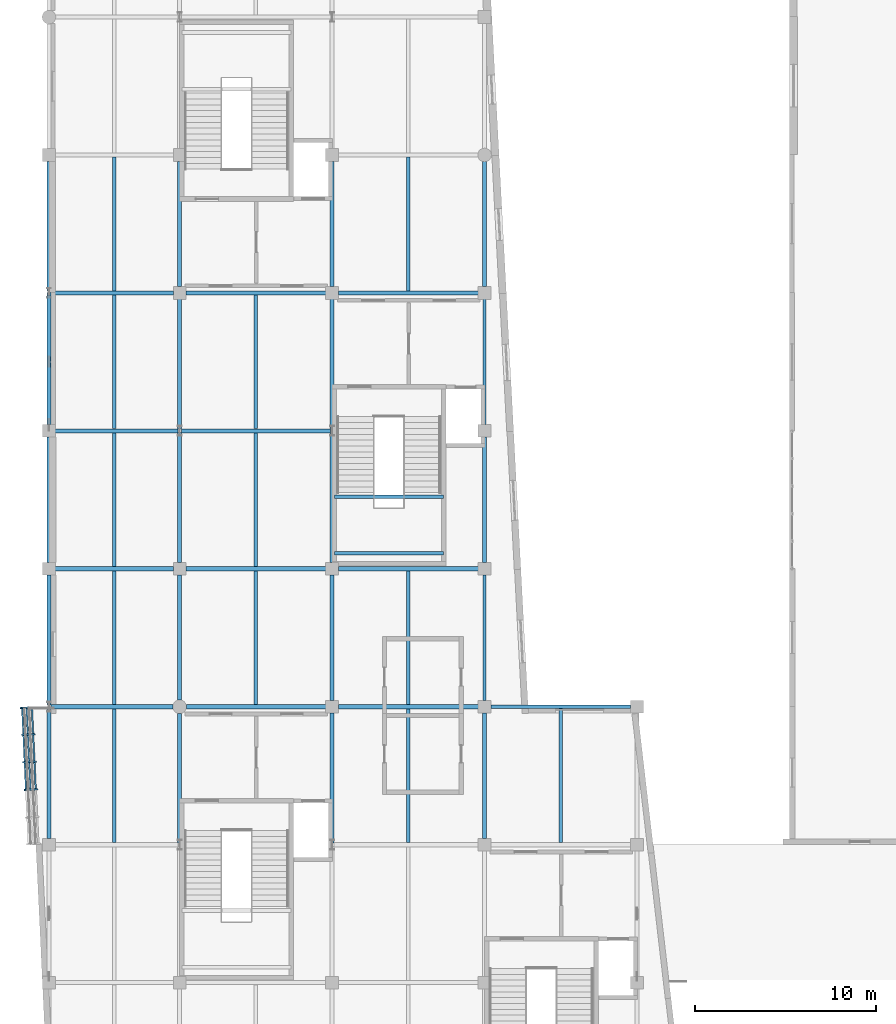
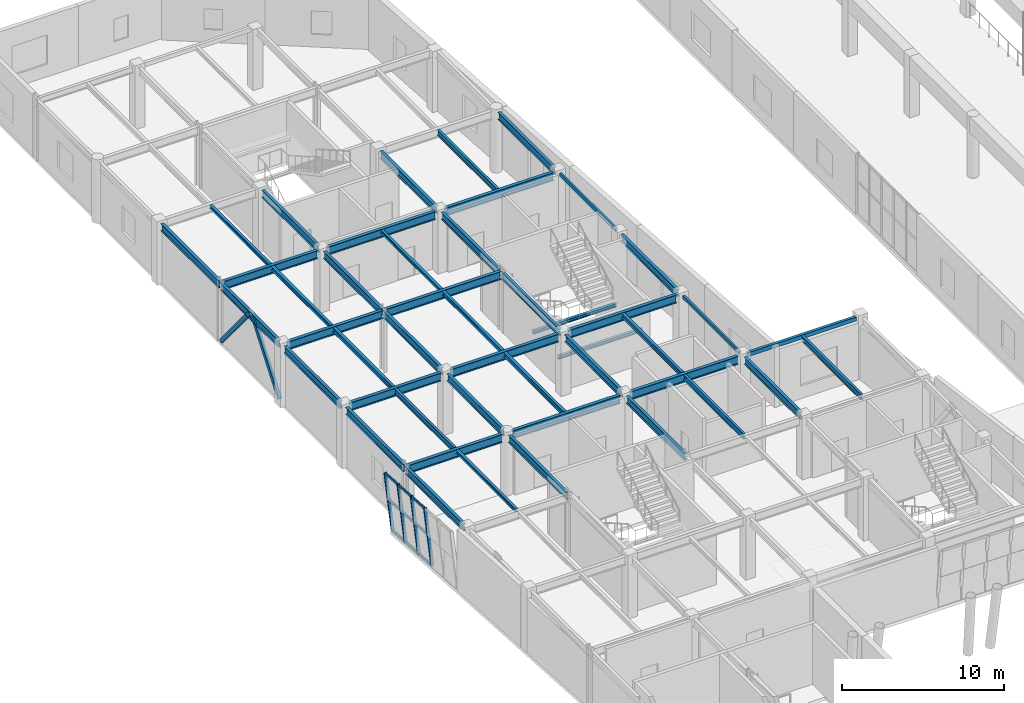
# One storey, part 12 of 72: 46 beams, 15 members, 1 element without a shape of its own.
"""IFC4 building model written with IfcOpenShell, lengths in metres."""

from ifc_helpers import new_model, si_unit, direction, frame, origin, origin_2d, place, context, subcontext, project, spatial, hollow_rectangle, i_section, extrude, material, layer, layer_set, material_profile, profile_set, type_object, element, aggregate, save


model = new_model("IFC4")

# Units and contexts
model_context = context("Model", 3, precision=1e-05, world=origin(), true_north=direction((0.0, 1.0)))
body_context = subcontext(model_context, "Body", "Model", "MODEL_VIEW")
ifc_project = project(units=[si_unit("LENGTHUNIT", "METRE"), si_unit("AREAUNIT", "SQUARE_METRE"), si_unit("VOLUMEUNIT", "CUBIC_METRE"), si_unit("PLANEANGLEUNIT", "RADIAN"), si_unit("MASSUNIT", "GRAM", prefix="KILO")], contexts=[model_context])

# Site, building, storey
site_placement = place(None, origin())
site = spatial("IfcSite", under=ifc_project, at=site_placement, CompositionType="ELEMENT")
building_placement = place(site_placement, origin())
building = spatial("IfcBuilding", under=site, at=building_placement, Name="Xicomal Pleat Aquarium", CompositionType="ELEMENT")
storey_placement = place(building_placement, frame((0.0, 0.0, 10.5)))
storey = spatial("IfcBuildingStorey", under=building, at=storey_placement, Name="L03", CompositionType="ELEMENT", Elevation=10.5)

# Beams
ifc_material_1 = material(Name="Structural steel A992 Gr 50", Category="steel")
ifc_material_profile_1 = material_profile(ifc_material_1, i_section(OverallWidth=0.201904296875, OverallDepth=0.2470703125, WebThickness=0.00732421875, FlangeThickness=0.010986328125, at=origin_2d()), Name="IR 250x49")
ifc_profile_set_1 = profile_set([ifc_material_profile_1], Name="Structural steel A992 Gr 50")
beam_type_1 = type_object("IfcBeamType", Name="BM-STL-IR250", PredefinedType="JOIST", material=ifc_profile_set_1)
for number, where, z_axis, x_axis, name in (
    (1, (6.60009765625, 30.51806640625, 4.451416015625), (0.0, 1.0, 0.0), (-1.0, 0.0, 0.0), "L03 framing beam FBJ-L03-01-E-1"),
    (2, (6.60009765625, 60.91796875, 4.466552734375), (0.0, 1.0, 0.0), (-1.0, 0.0, 0.0), "L03 framing beam FBJ-L03-01-J-1"),
):
    element("IfcBeam", number, at=place(storey_placement, frame(where, z_axis=z_axis, x_axis=x_axis)), inside=storey, type_object=beam_type_1, Name=name, PredefinedType="JOIST", context=body_context, shape_type="SweptSolid", body=[
        extrude(i_section(OverallWidth=0.201904296875, OverallDepth=0.2470703125, WebThickness=0.00732421875, FlangeThickness=0.010986328125, at=origin_2d()), origin(), (0.0, 0.0, 1.0), 7.364013671875),
    ])
beam_1_placement = place(storey_placement, frame((14.39990234375, 53.318115234375, 4.466552734375), z_axis=(0.0, 1.0, 0.0), x_axis=(-1.0, 0.0, 0.0)))
element("IfcBeam", 3, at=beam_1_placement, inside=storey, type_object=beam_type_1, Name="L03 framing beam FBJ-L03-02-H-1", PredefinedType="JOIST", context=body_context, shape_type="SweptSolid", body=[
    extrude(i_section(OverallWidth=0.201904296875, OverallDepth=0.2470703125, WebThickness=0.00732421875, FlangeThickness=0.010986328125, at=origin_2d()), origin(), (0.0, 0.0, 1.0), 7.36376953125),
])
for number, where, z_axis, x_axis, name in (
    (4, (18.719970703125, 46.449951171875, 2.0791015625), (1.0, 0.0, 0.0), (0.0, 1.0, 0.0), "ST-04-L03 half-landing bearer beam 1"),
    (5, (18.719970703125, 49.573974609375, 2.0791015625), (1.0, 0.0, 0.0), (0.0, 1.0, 0.0), "ST-04-L03 half-landing bearer beam 2"),
):
    element("IfcBeam", number, at=place(storey_placement, frame(where, z_axis=z_axis, x_axis=x_axis)), inside=storey, type_object=beam_type_1, Name=name, PredefinedType="JOIST", context=body_context, shape_type="SweptSolid", body=[
        extrude(i_section(OverallWidth=0.201904296875, OverallDepth=0.2470703125, WebThickness=0.00732421875, FlangeThickness=0.010986328125, at=origin_2d()), origin(), (0.0, 0.0, 1.0), 6.02001953125),
    ])
ifc_material_2 = material(Name="Structural steel A992 Gr 50", Category="steel")
ifc_material_profile_2 = material_profile(ifc_material_2, i_section(OverallWidth=0.202880859375, OverallDepth=0.302978515625, WebThickness=0.007568359375, FlangeThickness=0.01318359375, at=origin_2d()), Name="IR 310x60")
ifc_profile_set_2 = profile_set([ifc_material_profile_2], Name="Structural steel A992 Gr 50")
beam_type_2 = type_object("IfcBeamType", Name="BM-STL-IR310", PredefinedType="JOIST", material=ifc_profile_set_2)
beam_2_placement = place(storey_placement, frame((6.60009765625, 53.318115234375, 4.4384765625), z_axis=(0.0, 1.0, 0.0), x_axis=(-1.0, 0.0, 0.0)))
element("IfcBeam", 6, at=beam_2_placement, inside=storey, type_object=beam_type_2, Name="L03 framing beam FBJ-L03-01-H-1", PredefinedType="JOIST", context=body_context, shape_type="SweptSolid", body=[
    extrude(i_section(OverallWidth=0.202880859375, OverallDepth=0.302978515625, WebThickness=0.007568359375, FlangeThickness=0.01318359375, at=origin_2d()), origin(), (0.0, 0.0, 1.0), 7.36376953125),
])
beam_3_placement = place(storey_placement, frame((14.39990234375, 45.718017578125, 4.4384765625), z_axis=(0.0, 1.0, 0.0), x_axis=(-1.0, 0.0, 0.0)))
element("IfcBeam", 7, at=beam_3_placement, inside=storey, type_object=beam_type_2, Name="L03 framing beam FBJ-L03-02-G-1", PredefinedType="JOIST", context=body_context, shape_type="SweptSolid", body=[
    extrude(i_section(OverallWidth=0.202880859375, OverallDepth=0.302978515625, WebThickness=0.007568359375, FlangeThickness=0.01318359375, at=origin_2d()), origin(), (0.0, 0.0, 1.0), 7.364013671875),
])
ifc_material_3 = material(Name="Structural steel A992 Gr 50", Category="steel")
ifc_material_profile_3 = material_profile(ifc_material_3, i_section(OverallWidth=0.205078125, OverallDepth=0.35400390625, WebThickness=0.009521484375, FlangeThickness=0.016845703125, at=origin_2d()), Name="IR 360x79")
ifc_profile_set_3 = profile_set([ifc_material_profile_3], Name="Structural steel A992 Gr 50")
beam_type_3 = type_object("IfcBeamType", Name="BM-STL-IR360", PredefinedType="JOIST", material=ifc_profile_set_3)
for number, where, z_axis, x_axis, name in (
    (8, (6.60009765625, 45.718017578125, 4.4130859375), (0.0, 1.0, 0.0), (-1.0, 0.0, 0.0), "L03 framing beam FBJ-L03-01-G-1"),
    (9, (14.39990234375, 38.117919921875, 4.4130859375), (0.0, 1.0, 0.0), (-1.0, 0.0, 0.0), "L03 framing beam FBJ-L03-02-F-1"),
    (10, (22.800048828125, 38.117919921875, 4.4130859375), (0.0, 1.0, 0.0), (-1.0, 0.0, 0.0), "L03 framing beam FBJ-L03-03-F-1"),
):
    element("IfcBeam", number, at=place(storey_placement, frame(where, z_axis=z_axis, x_axis=x_axis)), inside=storey, type_object=beam_type_3, Name=name, PredefinedType="JOIST", context=body_context, shape_type="SweptSolid", body=[
        extrude(i_section(OverallWidth=0.205078125, OverallDepth=0.35400390625, WebThickness=0.009521484375, FlangeThickness=0.016845703125, at=origin_2d()), origin(), (0.0, 0.0, 1.0), 7.364013671875),
    ])
ifc_material_4 = material(Name="Structural steel A992 Gr 50", Category="steel")
ifc_material_profile_4 = material_profile(ifc_material_4, i_section(OverallWidth=0.180908203125, OverallDepth=0.4169921875, WebThickness=0.010986328125, FlangeThickness=0.018310546875, at=origin_2d()), Name="IR 410x85")
ifc_profile_set_4 = profile_set([ifc_material_profile_4], Name="Structural steel A992 Gr 50")
beam_type_4 = type_object("IfcBeamType", Name="BM-STL-IR410", PredefinedType="JOIST", material=ifc_profile_set_4)
for number, where, z_axis, x_axis, name in (
    (11, (6.60009765625, 38.117919921875, 4.381591796875), (0.0, 1.0, 0.0), (-1.0, 0.0, 0.0), "L03 framing beam FBJ-L03-01-F-1"),
    (12, (22.800048828125, 30.51806640625, 4.366455078125), (0.0, 1.0, 0.0), (-1.0, 0.0, 0.0), "L03 framing beam FBJ-L03-03-E-1"),
    (13, (22.800048828125, 60.91796875, 4.381591796875), (0.0, 1.0, 0.0), (-1.0, 0.0, 0.0), "L03 framing beam FBJ-L03-03-J-1"),
):
    element("IfcBeam", number, at=place(storey_placement, frame(where, z_axis=z_axis, x_axis=x_axis)), inside=storey, type_object=beam_type_4, Name=name, PredefinedType="JOIST", context=body_context, shape_type="SweptSolid", body=[
        extrude(i_section(OverallWidth=0.180908203125, OverallDepth=0.4169921875, WebThickness=0.010986328125, FlangeThickness=0.018310546875, at=origin_2d()), origin(), (0.0, 0.0, 1.0), 7.364013671875),
    ])
beam_4_placement = place(storey_placement, frame((31.199951171875, 30.51806640625, 4.366455078125), z_axis=(0.0, 1.0, 0.0), x_axis=(-1.0, 0.0, 0.0)))
element("IfcBeam", 14, at=beam_4_placement, inside=storey, type_object=beam_type_4, Name="L03 framing beam FBJ-L03-04-E-1", PredefinedType="JOIST", context=body_context, shape_type="SweptSolid", body=[
    extrude(i_section(OverallWidth=0.180908203125, OverallDepth=0.4169921875, WebThickness=0.010986328125, FlangeThickness=0.018310546875, at=origin_2d()), origin(), (0.0, 0.0, 1.0), 7.37890625),
])
ifc_material_5 = material(Name="Structural steel A992 Gr 50", Category="steel")
ifc_material_profile_5 = material_profile(ifc_material_5, i_section(OverallWidth=0.2119140625, OverallDepth=0.5439453125, WebThickness=0.01318359375, FlangeThickness=0.021240234375, at=origin_2d()), Name="IR 530x123")
ifc_profile_set_5 = profile_set([ifc_material_profile_5], Name="Structural steel A992 Gr 50")
beam_type_5 = type_object("IfcBeamType", Name="BM-STL-IR530", PredefinedType="BEAM", material=ifc_profile_set_5)
for number, where, z_axis, x_axis, name in (
    (15, (3.0, 30.7451171875, 4.302978515625), (0.0, 1.0, 0.0), (-1.0, 0.0, 0.0), "L03 framing beam FGY-L03-01-E-F"),
    (16, (3.0, 38.10107421875, 4.318115234375), (0.0, 1.0, 0.0), (-1.0, 0.0, 0.0), "L03 framing beam FGY-L03-01-F-G"),
):
    element("IfcBeam", number, at=place(storey_placement, frame(where, z_axis=z_axis, x_axis=x_axis)), inside=storey, type_object=beam_type_5, Name=name, PredefinedType="BEAM", context=body_context, shape_type="SweptSolid", body=[
        extrude(i_section(OverallWidth=0.2119140625, OverallDepth=0.5439453125, WebThickness=0.01318359375, FlangeThickness=0.021240234375, at=origin_2d()), origin(), (0.0, 0.0, 1.0), 7.15380859375),
    ])
beam_5_placement = place(storey_placement, frame((3.0, 45.945068359375, 4.318115234375), z_axis=(0.0, 1.0, 0.0), x_axis=(-1.0, 0.0, 0.0)))
element("IfcBeam", 17, at=beam_5_placement, inside=storey, type_object=beam_type_5, Name="L03 framing beam FGY-L03-01-G-H", PredefinedType="BEAM", context=body_context, shape_type="SweptSolid", body=[
    extrude(i_section(OverallWidth=0.2119140625, OverallDepth=0.5439453125, WebThickness=0.01318359375, FlangeThickness=0.021240234375, at=origin_2d()), origin(), (0.0, 0.0, 1.0), 6.909912109375),
])
for number, where, z_axis, x_axis, name in (
    (18, (3.0, 53.544921875, 4.318115234375), (0.0, 1.0, 0.0), (-1.0, 0.0, 0.0), "L03 framing beam FGY-L03-01-H-J"),
    (19, (3.0, 60.90087890625, 4.318115234375), (0.0, 1.0, 0.0), (-1.0, 0.0, 0.0), "L03 framing beam FGY-L03-01-J-K"),
):
    element("IfcBeam", number, at=place(storey_placement, frame(where, z_axis=z_axis, x_axis=x_axis)), inside=storey, type_object=beam_type_5, Name=name, PredefinedType="BEAM", context=body_context, shape_type="SweptSolid", body=[
        extrude(i_section(OverallWidth=0.2119140625, OverallDepth=0.5439453125, WebThickness=0.01318359375, FlangeThickness=0.021240234375, at=origin_2d()), origin(), (0.0, 0.0, 1.0), 7.154052734375),
    ])
beam_6_placement = place(storey_placement, frame((10.199951171875, 30.5009765625, 4.302978515625), z_axis=(0.0, 1.0, 0.0), x_axis=(-1.0, 0.0, 0.0)))
element("IfcBeam", 20, at=beam_6_placement, inside=storey, type_object=beam_type_5, Name="L03 framing beam FGY-L03-02-E-F", PredefinedType="BEAM", context=body_context, shape_type="SweptSolid", body=[
    extrude(i_section(OverallWidth=0.2119140625, OverallDepth=0.5439453125, WebThickness=0.01318359375, FlangeThickness=0.021240234375, at=origin_2d()), origin(), (0.0, 0.0, 1.0), 7.12890625),
])
beam_7_placement = place(storey_placement, frame((10.199951171875, 38.3701171875, 4.318115234375), z_axis=(0.0, 1.0, 0.0), x_axis=(-1.0, 0.0, 0.0)))
element("IfcBeam", 21, at=beam_7_placement, inside=storey, type_object=beam_type_5, Name="L03 framing beam FGY-L03-02-F-G", PredefinedType="BEAM", context=body_context, shape_type="SweptSolid", body=[
    extrude(i_section(OverallWidth=0.2119140625, OverallDepth=0.5439453125, WebThickness=0.01318359375, FlangeThickness=0.021240234375, at=origin_2d()), origin(), (0.0, 0.0, 1.0), 6.884765625),
])
for number, where, z_axis, x_axis, name in (
    (22, (10.199951171875, 45.945068359375, 4.318115234375), (0.0, 1.0, 0.0), (-1.0, 0.0, 0.0), "L03 framing beam FGY-L03-02-G-H"),
    (23, (10.199951171875, 53.301025390625, 4.318115234375), (0.0, 1.0, 0.0), (-1.0, 0.0, 0.0), "L03 framing beam FGY-L03-02-H-J"),
):
    element("IfcBeam", number, at=place(storey_placement, frame(where, z_axis=z_axis, x_axis=x_axis)), inside=storey, type_object=beam_type_5, Name=name, PredefinedType="BEAM", context=body_context, shape_type="SweptSolid", body=[
        extrude(i_section(OverallWidth=0.2119140625, OverallDepth=0.5439453125, WebThickness=0.01318359375, FlangeThickness=0.021240234375, at=origin_2d()), origin(), (0.0, 0.0, 1.0), 7.154052734375),
    ])
beam_8_placement = place(storey_placement, frame((10.199951171875, 61.14501953125, 4.318115234375), z_axis=(0.0, 1.0, 0.0), x_axis=(-1.0, 0.0, 0.0)))
element("IfcBeam", 24, at=beam_8_placement, inside=storey, type_object=beam_type_5, Name="L03 framing beam FGY-L03-02-J-K", PredefinedType="BEAM", context=body_context, shape_type="SweptSolid", body=[
    extrude(i_section(OverallWidth=0.2119140625, OverallDepth=0.5439453125, WebThickness=0.01318359375, FlangeThickness=0.021240234375, at=origin_2d()), origin(), (0.0, 0.0, 1.0), 6.909912109375),
])
beam_9_placement = place(storey_placement, frame((18.60009765625, 30.5009765625, 4.302978515625), z_axis=(0.0, 1.0, 0.0), x_axis=(-1.0, 0.0, 0.0)))
element("IfcBeam", 25, at=beam_9_placement, inside=storey, type_object=beam_type_5, Name="L03 framing beam FGY-L03-03-E-F", PredefinedType="BEAM", context=body_context, shape_type="SweptSolid", body=[
    extrude(i_section(OverallWidth=0.2119140625, OverallDepth=0.5439453125, WebThickness=0.01318359375, FlangeThickness=0.021240234375, at=origin_2d()), origin(), (0.0, 0.0, 1.0), 7.154052734375),
])
beam_10_placement = place(storey_placement, frame((18.60009765625, 38.344970703125, 4.318115234375), z_axis=(0.0, 1.0, 0.0), x_axis=(-1.0, 0.0, 0.0)))
element("IfcBeam", 26, at=beam_10_placement, inside=storey, type_object=beam_type_5, Name="L03 framing beam FGY-L03-03-F-G", PredefinedType="BEAM", context=body_context, shape_type="SweptSolid", body=[
    extrude(i_section(OverallWidth=0.2119140625, OverallDepth=0.5439453125, WebThickness=0.01318359375, FlangeThickness=0.021240234375, at=origin_2d()), origin(), (0.0, 0.0, 1.0), 6.909912109375),
])
for number, where, z_axis, x_axis, name in (
    (27, (18.60009765625, 45.945068359375, 4.318115234375), (0.0, 1.0, 0.0), (-1.0, 0.0, 0.0), "L03 framing beam FGY-L03-03-G-H"),
    (28, (18.60009765625, 53.301025390625, 4.318115234375), (0.0, 1.0, 0.0), (-1.0, 0.0, 0.0), "L03 framing beam FGY-L03-03-H-J"),
):
    element("IfcBeam", number, at=place(storey_placement, frame(where, z_axis=z_axis, x_axis=x_axis)), inside=storey, type_object=beam_type_5, Name=name, PredefinedType="BEAM", context=body_context, shape_type="SweptSolid", body=[
        extrude(i_section(OverallWidth=0.2119140625, OverallDepth=0.5439453125, WebThickness=0.01318359375, FlangeThickness=0.021240234375, at=origin_2d()), origin(), (0.0, 0.0, 1.0), 7.154052734375),
    ])
for number, where, z_axis, x_axis, name in (
    (29, (18.60009765625, 61.14501953125, 4.318115234375), (0.0, 1.0, 0.0), (-1.0, 0.0, 0.0), "L03 framing beam FGY-L03-03-J-K"),
    (30, (27.0, 30.7451171875, 4.302978515625), (0.0, 1.0, 0.0), (-1.0, 0.0, 0.0), "L03 framing beam FGY-L03-04-E-F"),
    (31, (27.0, 45.945068359375, 4.318115234375), (0.0, 1.0, 0.0), (-1.0, 0.0, 0.0), "L03 framing beam FGY-L03-04-G-H"),
):
    element("IfcBeam", number, at=place(storey_placement, frame(where, z_axis=z_axis, x_axis=x_axis)), inside=storey, type_object=beam_type_5, Name=name, PredefinedType="BEAM", context=body_context, shape_type="SweptSolid", body=[
        extrude(i_section(OverallWidth=0.2119140625, OverallDepth=0.5439453125, WebThickness=0.01318359375, FlangeThickness=0.021240234375, at=origin_2d()), origin(), (0.0, 0.0, 1.0), 6.909912109375),
    ])
beam_11_placement = place(storey_placement, frame((27.0, 61.14501953125, 4.318115234375), z_axis=(0.0, 1.0, 0.0), x_axis=(-1.0, 0.0, 0.0)))
element("IfcBeam", 32, at=beam_11_placement, inside=storey, type_object=beam_type_5, Name="L03 framing beam FGY-L03-04-J-K", PredefinedType="BEAM", context=body_context, shape_type="SweptSolid", body=[
    extrude(i_section(OverallWidth=0.2119140625, OverallDepth=0.5439453125, WebThickness=0.01318359375, FlangeThickness=0.021240234375, at=origin_2d()), origin(), (0.0, 0.0, 1.0), 6.885009765625),
])
ifc_material_6 = material(Name="Structural steel A992 Gr 50", Category="steel")
ifc_material_profile_6 = material_profile(ifc_material_6, i_section(OverallWidth=0.22998046875, OverallDepth=0.616943359375, WebThickness=0.01318359375, FlangeThickness=0.022216796875, at=origin_2d()), Name="IR 610x140")
ifc_profile_set_6 = profile_set([ifc_material_profile_6], Name="Structural steel A992 Gr 50")
beam_type_6 = type_object("IfcBeamType", Name="BM-STL-IR610", PredefinedType="BEAM", material=ifc_profile_set_6)
beam_12_placement = place(storey_placement, frame((3.10107421875, 38.0, 4.2666015625), z_axis=(1.0, 0.0, 0.0), x_axis=(0.0, 1.0, 0.0)))
element("IfcBeam", 33, at=beam_12_placement, inside=storey, type_object=beam_type_6, Name="L03 framing beam FGX-L03-01-02-F", PredefinedType="BEAM", context=body_context, shape_type="SweptSolid", body=[
    extrude(i_section(OverallWidth=0.22998046875, OverallDepth=0.616943359375, WebThickness=0.01318359375, FlangeThickness=0.022216796875, at=origin_2d()), origin(), (0.0, 0.0, 1.0), 6.72900390625),
])
beam_13_placement = place(storey_placement, frame((10.570068359375, 38.0, 4.2666015625), z_axis=(1.0, 0.0, 0.0), x_axis=(0.0, 1.0, 0.0)))
element("IfcBeam", 34, at=beam_13_placement, inside=storey, type_object=beam_type_6, Name="L03 framing beam FGX-L03-02-03-F", PredefinedType="BEAM", context=body_context, shape_type="SweptSolid", body=[
    extrude(i_section(OverallWidth=0.22998046875, OverallDepth=0.616943359375, WebThickness=0.01318359375, FlangeThickness=0.022216796875, at=origin_2d()), origin(), (0.0, 0.0, 1.0), 7.684814453125),
])
beam_14_placement = place(storey_placement, frame((18.945068359375, 38.0, 4.2666015625), z_axis=(1.0, 0.0, 0.0), x_axis=(0.0, 1.0, 0.0)))
element("IfcBeam", 35, at=beam_14_placement, inside=storey, type_object=beam_type_6, Name="L03 framing beam FGX-L03-03-04-F", PredefinedType="BEAM", context=body_context, shape_type="SweptSolid", body=[
    extrude(i_section(OverallWidth=0.22998046875, OverallDepth=0.616943359375, WebThickness=0.01318359375, FlangeThickness=0.022216796875, at=origin_2d()), origin(), (0.0, 0.0, 1.0), 7.7099609375),
])
beam_15_placement = place(storey_placement, frame((3.344970703125, 45.60009765625, 4.281494140625), z_axis=(1.0, 0.0, 0.0), x_axis=(0.0, 1.0, 0.0)))
element("IfcBeam", 36, at=beam_15_placement, inside=storey, type_object=beam_type_6, Name="L03 framing beam FGX-L03-01-02-G", PredefinedType="BEAM", context=body_context, shape_type="SweptSolid", body=[
    extrude(i_section(OverallWidth=0.22998046875, OverallDepth=0.616943359375, WebThickness=0.01318359375, FlangeThickness=0.022216796875, at=origin_2d()), origin(), (0.0, 0.0, 1.0), 6.510009765625),
])
for number, where, z_axis, x_axis, name in (
    (37, (10.544921875, 45.60009765625, 4.281494140625), (1.0, 0.0, 0.0), (0.0, 1.0, 0.0), "L03 framing beam FGX-L03-02-03-G"),
    (38, (18.945068359375, 45.60009765625, 4.281494140625), (1.0, 0.0, 0.0), (0.0, 1.0, 0.0), "L03 framing beam FGX-L03-03-04-G"),
):
    element("IfcBeam", number, at=place(storey_placement, frame(where, z_axis=z_axis, x_axis=x_axis)), inside=storey, type_object=beam_type_6, Name=name, PredefinedType="BEAM", context=body_context, shape_type="SweptSolid", body=[
        extrude(i_section(OverallWidth=0.22998046875, OverallDepth=0.616943359375, WebThickness=0.01318359375, FlangeThickness=0.022216796875, at=origin_2d()), origin(), (0.0, 0.0, 1.0), 7.7099609375),
    ])
beam_16_placement = place(storey_placement, frame((3.344970703125, 53.199951171875, 4.281494140625), z_axis=(1.0, 0.0, 0.0), x_axis=(0.0, 1.0, 0.0)))
element("IfcBeam", 39, at=beam_16_placement, inside=storey, type_object=beam_type_6, Name="L03 framing beam FGX-L03-01-02-H", PredefinedType="BEAM", context=body_context, shape_type="SweptSolid", body=[
    extrude(i_section(OverallWidth=0.22998046875, OverallDepth=0.616943359375, WebThickness=0.01318359375, FlangeThickness=0.022216796875, at=origin_2d()), origin(), (0.0, 0.0, 1.0), 6.754150390625),
])
beam_17_placement = place(storey_placement, frame((10.301025390625, 53.199951171875, 4.281494140625), z_axis=(1.0, 0.0, 0.0), x_axis=(0.0, 1.0, 0.0)))
element("IfcBeam", 40, at=beam_17_placement, inside=storey, type_object=beam_type_6, Name="L03 framing beam FGX-L03-02-03-H", PredefinedType="BEAM", context=body_context, shape_type="SweptSolid", body=[
    extrude(i_section(OverallWidth=0.22998046875, OverallDepth=0.616943359375, WebThickness=0.01318359375, FlangeThickness=0.022216796875, at=origin_2d()), origin(), (0.0, 0.0, 1.0), 8.197998046875),
])
beam_18_placement = place(storey_placement, frame((3.10107421875, 60.800048828125, 4.281494140625), z_axis=(1.0, 0.0, 0.0), x_axis=(0.0, 1.0, 0.0)))
element("IfcBeam", 41, at=beam_18_placement, inside=storey, type_object=beam_type_6, Name="L03 framing beam FGX-L03-01-02-J", PredefinedType="BEAM", context=body_context, shape_type="SweptSolid", body=[
    extrude(i_section(OverallWidth=0.22998046875, OverallDepth=0.616943359375, WebThickness=0.01318359375, FlangeThickness=0.022216796875, at=origin_2d()), origin(), (0.0, 0.0, 1.0), 6.75390625),
])
for number, where, z_axis, x_axis, name in (
    (42, (10.544921875, 60.800048828125, 4.281494140625), (1.0, 0.0, 0.0), (0.0, 1.0, 0.0), "L03 framing beam FGX-L03-02-03-J"),
    (43, (18.945068359375, 60.800048828125, 4.281494140625), (1.0, 0.0, 0.0), (0.0, 1.0, 0.0), "L03 framing beam FGX-L03-03-04-J"),
):
    element("IfcBeam", number, at=place(storey_placement, frame(where, z_axis=z_axis, x_axis=x_axis)), inside=storey, type_object=beam_type_6, Name=name, PredefinedType="BEAM", context=body_context, shape_type="SweptSolid", body=[
        extrude(i_section(OverallWidth=0.22998046875, OverallDepth=0.616943359375, WebThickness=0.01318359375, FlangeThickness=0.022216796875, at=origin_2d()), origin(), (0.0, 0.0, 1.0), 7.7099609375),
    ])
ifc_material_7 = material(Name="Structural steel A500 Gr C", Category="steel")
ifc_material_profile_7 = material_profile(ifc_material_7, hollow_rectangle(XDim=0.14990234375, YDim=0.25, WallThickness=0.010009765625, at=origin_2d()), Name="OR 250x150x10")
ifc_profile_set_7 = profile_set([ifc_material_profile_7], Name="Structural steel A500 Gr C")
beam_type_7 = type_object("IfcBeamType", Name="BM-STL-OR250", PredefinedType="SPANDREL", material=ifc_profile_set_7)
beam_19_placement = place(storey_placement, frame((27.0, 38.344970703125, 4.465087890625), z_axis=(0.0, 1.0, 0.0), x_axis=(-1.0, 0.0, 0.0)))
element("IfcBeam", 44, at=beam_19_placement, inside=storey, type_object=beam_type_7, Name="L03 framing beam FGY-L03-04-F-G", PredefinedType="SPANDREL", context=body_context, shape_type="SweptSolid", body=[
    extrude(hollow_rectangle(XDim=0.14990234375, YDim=0.25, WallThickness=0.010009765625, at=origin_2d()), origin(), (0.0, 0.0, 1.0), 6.909912109375),
])
beam_20_placement = place(storey_placement, frame((27.0, 53.544921875, 4.465087890625), z_axis=(0.0, 1.0, 0.0), x_axis=(-1.0, 0.0, 0.0)))
element("IfcBeam", 45, at=beam_20_placement, inside=storey, type_object=beam_type_7, Name="L03 framing beam FGY-L03-04-H-J", PredefinedType="SPANDREL", context=body_context, shape_type="SweptSolid", body=[
    extrude(hollow_rectangle(XDim=0.14990234375, YDim=0.25, WallThickness=0.010009765625, at=origin_2d()), origin(), (0.0, 0.0, 1.0), 6.91015625),
])
ifc_material_8 = material(Name="Structural steel A500 Gr C", Category="steel")
ifc_material_profile_8 = material_profile(ifc_material_8, hollow_rectangle(XDim=0.199951171875, YDim=0.300048828125, WallThickness=0.011962890625, at=origin_2d()), Name="OR 300x200x12")
ifc_profile_set_8 = profile_set([ifc_material_profile_8], Name="Structural steel A500 Gr C")
beam_type_8 = type_object("IfcBeamType", Name="BM-STL-OR300", PredefinedType="SPANDREL", material=ifc_profile_set_8)
beam_21_placement = place(storey_placement, frame((27.344970703125, 38.0, 4.425048828125), z_axis=(1.0, 0.0, 0.0), x_axis=(0.0, 1.0, 0.0)))
element("IfcBeam", 46, at=beam_21_placement, inside=storey, type_object=beam_type_8, Name="L03 framing beam FGX-L03-04-05-F", PredefinedType="SPANDREL", context=body_context, shape_type="SweptSolid", body=[
    extrude(hollow_rectangle(XDim=0.199951171875, YDim=0.300048828125, WallThickness=0.011962890625, at=origin_2d()), origin(), (0.0, 0.0, 1.0), 7.7099609375),
])

# Curtain wall, members
ifc_material_9 = material(Name="Bronze anodized aluminium 6063-T6", Category="aluminium")
ifc_layer = layer(ifc_material_9, 0.159912109375)
ifc_layer_set = layer_set([ifc_layer], Name="Bronze anodized aluminium 6063-T6")
curtain_wall_type = type_object("IfcCurtainWallType", Name="CW-SYS-03", PredefinedType="NOTDEFINED", material=ifc_layer_set)
curtain_wall_placement = place(storey_placement, origin())
curtain_wall = element("IfcCurtainWall", 47, at=curtain_wall_placement, inside=storey, type_object=curtain_wall_type, Name="L03 unitised curtain wall CW-L03-170", PredefinedType="NOTDEFINED")
ifc_material_10 = material(Name="Bronze anodized aluminium 6063-T6", Category="aluminium")
ifc_material_profile_9 = material_profile(ifc_material_10, hollow_rectangle(XDim=0.0849609375, YDim=0.219970703125, WallThickness=0.0048828125, at=origin_2d()), Name="ALU MULL 85x220")
ifc_profile_set_9 = profile_set([ifc_material_profile_9], Name="Bronze anodized aluminium 6063-T6")
member_type_1 = type_object("IfcMemberType", Name="CWM-85x220", PredefinedType="MULLION", material=ifc_profile_set_9)
member_1_placement = place(storey_placement, frame((2.27587890625, 33.447021484375, 0.0), z_axis=(-0.118219733167, -0.005616894539, 0.992971573201), x_axis=(-0.094335510921, 0.995524712035, -0.005599920241)))
member_1 = element("IfcMember", 48, at=member_1_placement, type_object=member_type_1, Name="CW-03 mullion 3", PredefinedType="MULLION", context=body_context, shape_type="SweptSolid", body=[
    extrude(hollow_rectangle(XDim=0.0849609375, YDim=0.219970703125, WallThickness=0.0048828125, at=origin_2d()), origin(), (0.0, 0.0, 1.0), 4.607421875),
])
member_2_placement = place(storey_placement, frame((2.2041015625, 34.967041015625, 0.0), z_axis=(-0.11827198167, -0.005616859345, 0.992965351482), x_axis=(-0.094314072938, 0.995526729364, -0.005602389534)))
member_2 = element("IfcMember", 49, at=member_2_placement, type_object=member_type_1, Name="CW-03 mullion 4", PredefinedType="MULLION", context=body_context, shape_type="SweptSolid", body=[
    extrude(hollow_rectangle(XDim=0.0849609375, YDim=0.219970703125, WallThickness=0.0048828125, at=origin_2d()), origin(), (0.0, 0.0, 1.0), 4.607421875),
])
member_3_placement = place(storey_placement, frame((2.132080078125, 36.487060546875, 0.0), z_axis=(-0.11827198167, -0.005616859345, 0.992965351482), x_axis=(-0.094314072938, 0.995526729364, -0.005602389534)))
member_3 = element("IfcMember", 50, at=member_3_placement, type_object=member_type_1, Name="CW-03 mullion 5", PredefinedType="MULLION", context=body_context, shape_type="SweptSolid", body=[
    extrude(hollow_rectangle(XDim=0.0849609375, YDim=0.219970703125, WallThickness=0.0048828125, at=origin_2d()), origin(), (0.0, 0.0, 1.0), 4.607421875),
])
member_4_placement = place(storey_placement, frame((2.06201171875, 37.964599609375, 0.0), z_axis=(-0.11827198167, -0.005616859345, 0.992965351482), x_axis=(-0.094314072938, 0.995526729364, -0.005602389534)))
member_4 = element("IfcMember", 51, at=member_4_placement, type_object=member_type_1, Name="CW-03 mullion 6", PredefinedType="MULLION", context=body_context, shape_type="SweptSolid", body=[
    extrude(hollow_rectangle(XDim=0.0849609375, YDim=0.219970703125, WallThickness=0.0048828125, at=origin_2d()), origin(), (0.0, 0.0, 1.0), 4.607421875),
])
ifc_material_11 = material(Name="Bronze anodized aluminium 6063-T6", Category="aluminium")
ifc_material_profile_10 = material_profile(ifc_material_11, hollow_rectangle(XDim=0.0849609375, YDim=0.169921875, WallThickness=0.0048828125, at=origin_2d()), Name="ALU TRAN 85x170")
ifc_profile_set_10 = profile_set([ifc_material_profile_10], Name="Bronze anodized aluminium 6063-T6")
member_type_2 = type_object("IfcMemberType", Name="CWT-85x170", PredefinedType="USERDEFINED", material=ifc_profile_set_10)
member_5_placement = place(storey_placement, frame((2.268798828125, 33.4892578125, 0.04248046875), z_axis=(-0.047242191746, 0.998883464334, 0.0), x_axis=(-0.998883464334, -0.047242191746, 0.0)))
member_5 = element("IfcMember", 52, at=member_5_placement, type_object=member_type_2, Name="CW-03 transom 3.1", ObjectType="TRANSOM", PredefinedType="USERDEFINED", context=body_context, shape_type="SweptSolid", body=[
    extrude(hollow_rectangle(XDim=0.0849609375, YDim=0.169921875, WallThickness=0.0048828125, at=origin_2d()), origin(), (0.0, 0.0, 1.0), 1.436767578125),
])
member_6_placement = place(storey_placement, frame((1.979736328125, 33.4755859375, 2.469970703125), z_axis=(-0.047242191746, 0.998883464334, 0.0), x_axis=(-0.998883464334, -0.047242191746, 0.0)))
member_6 = element("IfcMember", 53, at=member_6_placement, type_object=member_type_2, Name="CW-03 transom 3.2", ObjectType="TRANSOM", PredefinedType="USERDEFINED", context=body_context, shape_type="SweptSolid", body=[
    extrude(hollow_rectangle(XDim=0.0849609375, YDim=0.169921875, WallThickness=0.0048828125, at=origin_2d()), origin(), (0.0, 0.0, 1.0), 1.436767578125),
])
member_7_placement = place(storey_placement, frame((1.734130859375, 33.4638671875, 4.532470703125), z_axis=(-0.047242191746, 0.998883464334, 0.0), x_axis=(-0.998883464334, -0.047242191746, 0.0)))
member_7 = element("IfcMember", 54, at=member_7_placement, type_object=member_type_2, Name="CW-03 transom 3.3", ObjectType="TRANSOM", PredefinedType="USERDEFINED", context=body_context, shape_type="SweptSolid", body=[
    extrude(hollow_rectangle(XDim=0.0849609375, YDim=0.169921875, WallThickness=0.0048828125, at=origin_2d()), origin(), (0.0, 0.0, 1.0), 1.436767578125),
])
member_8_placement = place(storey_placement, frame((2.197021484375, 35.00927734375, 0.04248046875), z_axis=(-0.047411746376, 0.998875430825, 0.0), x_axis=(-0.998875430825, -0.047411746376, 0.0)))
member_8 = element("IfcMember", 55, at=member_8_placement, type_object=member_type_2, Name="CW-03 transom 4.1", ObjectType="TRANSOM", PredefinedType="USERDEFINED", context=body_context, shape_type="SweptSolid", body=[
    extrude(hollow_rectangle(XDim=0.0849609375, YDim=0.169921875, WallThickness=0.0048828125, at=origin_2d()), origin(), (0.0, 0.0, 1.0), 1.436767578125),
])
member_9_placement = place(storey_placement, frame((1.90771484375, 34.99560546875, 2.469970703125), z_axis=(-0.047242191746, 0.998883464334, 0.0), x_axis=(-0.998883464334, -0.047242191746, 0.0)))
member_9 = element("IfcMember", 56, at=member_9_placement, type_object=member_type_2, Name="CW-03 transom 4.2", ObjectType="TRANSOM", PredefinedType="USERDEFINED", context=body_context, shape_type="SweptSolid", body=[
    extrude(hollow_rectangle(XDim=0.0849609375, YDim=0.169921875, WallThickness=0.0048828125, at=origin_2d()), origin(), (0.0, 0.0, 1.0), 1.436767578125),
])
member_10_placement = place(storey_placement, frame((1.662109375, 34.98388671875, 4.532470703125), z_axis=(-0.047242191746, 0.998883464334, 0.0), x_axis=(-0.998883464334, -0.047242191746, 0.0)))
member_10 = element("IfcMember", 57, at=member_10_placement, type_object=member_type_2, Name="CW-03 transom 4.3", ObjectType="TRANSOM", PredefinedType="USERDEFINED", context=body_context, shape_type="SweptSolid", body=[
    extrude(hollow_rectangle(XDim=0.0849609375, YDim=0.169921875, WallThickness=0.0048828125, at=origin_2d()), origin(), (0.0, 0.0, 1.0), 1.436767578125),
])
member_11_placement = place(storey_placement, frame((2.125, 36.529296875, 0.04248046875), z_axis=(-0.047282262179, 0.998881568397, 0.0), x_axis=(-0.998881568397, -0.047282262179, 0.0)))
member_11 = element("IfcMember", 58, at=member_11_placement, type_object=member_type_2, Name="CW-03 transom 5.1", ObjectType="TRANSOM", PredefinedType="USERDEFINED", context=body_context, shape_type="SweptSolid", body=[
    extrude(hollow_rectangle(XDim=0.0849609375, YDim=0.169921875, WallThickness=0.0048828125, at=origin_2d()), origin(), (0.0, 0.0, 1.0), 1.39404296875),
])
member_12_placement = place(storey_placement, frame((1.835693359375, 36.515380859375, 2.469970703125), z_axis=(-0.047273992839, 0.998881959794, 0.0), x_axis=(-0.998881959794, -0.047273992839, 0.0)))
member_12 = element("IfcMember", 59, at=member_12_placement, type_object=member_type_2, Name="CW-03 transom 5.2", ObjectType="TRANSOM", PredefinedType="USERDEFINED", context=body_context, shape_type="SweptSolid", body=[
    extrude(hollow_rectangle(XDim=0.0849609375, YDim=0.169921875, WallThickness=0.0048828125, at=origin_2d()), origin(), (0.0, 0.0, 1.0), 1.394287109375),
])
member_13_placement = place(storey_placement, frame((1.590087890625, 36.50390625, 4.532470703125), z_axis=(-0.047282262179, 0.998881568397, 0.0), x_axis=(-0.998881568397, -0.047282262179, 0.0)))
member_13 = element("IfcMember", 60, at=member_13_placement, type_object=member_type_2, Name="CW-03 transom 5.3", ObjectType="TRANSOM", PredefinedType="USERDEFINED", context=body_context, shape_type="SweptSolid", body=[
    extrude(hollow_rectangle(XDim=0.0849609375, YDim=0.169921875, WallThickness=0.0048828125, at=origin_2d()), origin(), (0.0, 0.0, 1.0), 1.39404296875),
])
aggregate(curtain_wall, [member_1, member_2, member_3, member_4, member_5, member_6, member_7, member_8, member_9, member_10, member_11, member_12, member_13])

# Members
ifc_material_12 = material(Name="Structural steel A500 Gr C", Category="steel")
ifc_material_profile_11 = material_profile(ifc_material_12, hollow_rectangle(XDim=0.199951171875, YDim=0.300048828125, WallThickness=0.011962890625, at=origin_2d()), Name="OR 300x200x12")
ifc_profile_set_11 = profile_set([ifc_material_profile_11], Name="Structural steel A500 Gr C")
member_type_3 = type_object("IfcMemberType", Name="MEM-BR-OR300", PredefinedType="BRACE", material=ifc_profile_set_11)
member_14_placement = place(storey_placement, frame((3.0, 53.530029296875, 0.14990234375), z_axis=(0.0, 0.611136654047, 0.791525103885), x_axis=(-1.0, 0.0, 0.0)))
element("IfcMember", 61, at=member_14_placement, inside=storey, type_object=member_type_3, Name="L03 chevron brace 9A", PredefinedType="BRACE", context=body_context, shape_type="SweptSolid", body=[
    extrude(hollow_rectangle(XDim=0.199951171875, YDim=0.300048828125, WallThickness=0.011962890625, at=origin_2d()), origin(), (0.0, 0.0, 1.0), 5.4326171875),
])
member_15_placement = place(storey_placement, frame((3.0, 60.714111328125, 0.14990234375), z_axis=(0.0, -0.638157073818, 0.769906195024), x_axis=(1.0, 0.0, 0.0)))
element("IfcMember", 62, at=member_15_placement, inside=storey, type_object=member_type_3, Name="L03 chevron brace 9B", PredefinedType="BRACE", context=body_context, shape_type="SweptSolid", body=[
    extrude(hollow_rectangle(XDim=0.199951171875, YDim=0.300048828125, WallThickness=0.011962890625, at=origin_2d()), origin(), (0.0, 0.0, 1.0), 5.585205078125),
])

save(model, "model.ifc")
